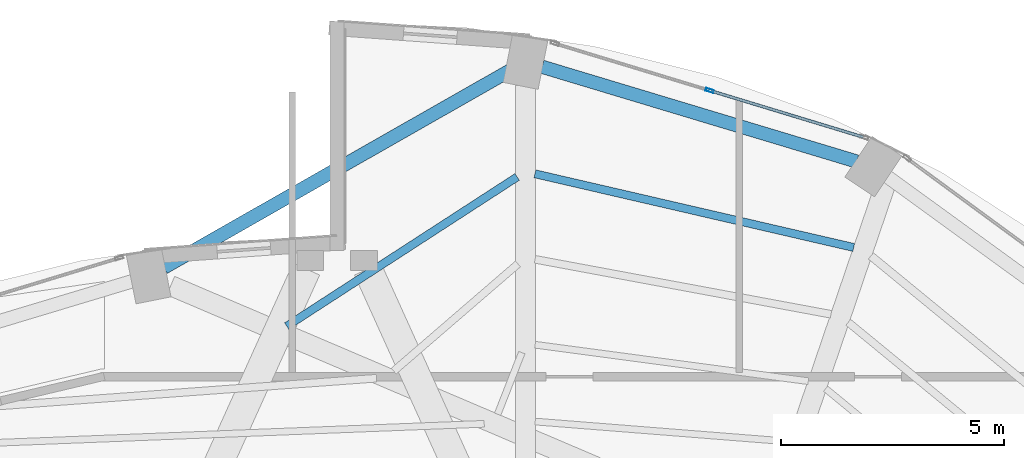
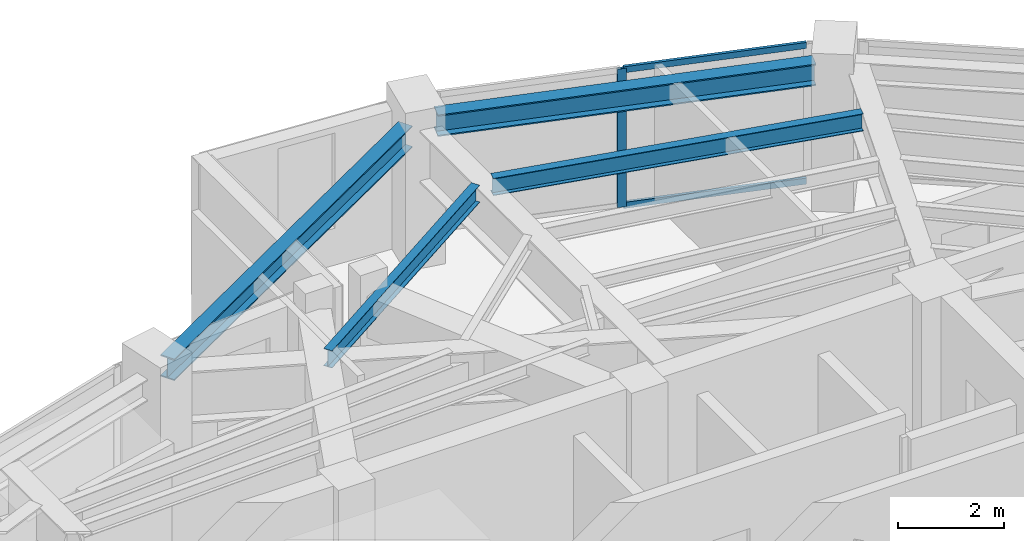
# One storey, part 17 of 23: 4 beams, 3 members, 1 element without a shape of its own.
"""IFC4 building model written with IfcOpenShell, lengths in metres."""

from ifc_helpers import new_model, si_unit, direction, frame, origin, origin_2d, place, context, subcontext, project, spatial, hollow_rectangle, i_section, extrude, material, layer, layer_set, material_profile, profile_set, type_object, element, aggregate, save


model = new_model("IFC4")

# Units and contexts
model_context = context("Model", 3, precision=1e-05, world=origin(), true_north=direction((0.0, 1.0)))
body_context = subcontext(model_context, "Body", "Model", "MODEL_VIEW")
ifc_project = project(units=[si_unit("LENGTHUNIT", "METRE"), si_unit("AREAUNIT", "SQUARE_METRE"), si_unit("VOLUMEUNIT", "CUBIC_METRE"), si_unit("PLANEANGLEUNIT", "RADIAN"), si_unit("MASSUNIT", "GRAM", prefix="KILO")], contexts=[model_context])

# Site, building, storey
site_placement = place(None, origin())
site = spatial("IfcSite", under=ifc_project, at=site_placement, CompositionType="ELEMENT")
building_placement = place(site_placement, origin())
building = spatial("IfcBuilding", under=site, at=building_placement, Name="Lazwardi Medical Tower", CompositionType="ELEMENT")
storey_placement = place(building_placement, frame((0.0, 0.0, 265.968017578125)))
storey = spatial("IfcBuildingStorey", under=building, at=storey_placement, Name="L69", CompositionType="ELEMENT", Elevation=265.968017578125)

# Beams
ifc_material_1 = material(Name="Steel S355", Category="steel")
ifc_material_profile_1 = material_profile(ifc_material_1, i_section(OverallWidth=0.300048828125, OverallDepth=0.5, WebThickness=0.014404296875, FlangeThickness=0.028076171875, at=origin_2d()), Name="HEB 500")
ifc_profile_set_1 = profile_set([ifc_material_profile_1], Name="Steel S355")
beam_type_1 = type_object("IfcBeamType", Name="BM-RB-Z4", PredefinedType="BEAM", material=ifc_profile_set_1)
beam_1_placement = place(storey_placement, frame((47.626953125, 43.56640625, 2.947998046875), z_axis=(-0.957544311906, 0.288286126506, 0.0), x_axis=(-0.288286126506, -0.957544311906, 0.0)))
element("IfcBeam", 1, at=beam_1_placement, inside=storey, type_object=beam_type_1, Name="Ring beam RB-05 B07 L69", PredefinedType="BEAM", context=body_context, shape_type="SweptSolid", body=[
    extrude(i_section(OverallWidth=0.300048828125, OverallDepth=0.5, WebThickness=0.014404296875, FlangeThickness=0.028076171875, at=origin_2d()), origin(), (0.0, 0.0, 1.0), 7.3515625),
])
beam_2_placement = place(storey_placement, frame((39.875, 45.605224609375, 2.947998046875), z_axis=(-0.868954808466, -0.494891443494, 0.0), x_axis=(0.494891443494, -0.868954808466, 0.0)))
element("IfcBeam", 2, at=beam_2_placement, inside=storey, type_object=beam_type_1, Name="Ring beam RB-05 B08 L69", PredefinedType="BEAM", context=body_context, shape_type="SweptSolid", body=[
    extrude(i_section(OverallWidth=0.300048828125, OverallDepth=0.5, WebThickness=0.014404296875, FlangeThickness=0.028076171875, at=origin_2d()), origin(), (0.0, 0.0, 1.0), 8.918701171875),
])
ifc_material_profile_2 = material_profile(ifc_material_1, i_section(OverallWidth=0.179931640625, OverallDepth=0.39990234375, WebThickness=0.008544921875, FlangeThickness=0.013427734375, at=origin_2d()), Name="IPE 400")
ifc_profile_set_2 = profile_set([ifc_material_profile_2], Name="Steel S355")
beam_type_2 = type_object("IfcBeamType", Name="BM-SJ-01", PredefinedType="JOIST", material=ifc_profile_set_2)
beam_3_placement = place(storey_placement, frame((47.560791015625, 41.642333984375, 2.998046875), z_axis=(-0.974310194081, 0.225210225591, 0.0), x_axis=(-0.225210225591, -0.974310194081, 0.0)))
element("IfcBeam", 3, at=beam_3_placement, inside=storey, type_object=beam_type_2, Name="Secondary joist SJ-01 R1 B07 L69", PredefinedType="JOIST", context=body_context, shape_type="SweptSolid", body=[
    extrude(i_section(OverallWidth=0.179931640625, OverallDepth=0.39990234375, WebThickness=0.008544921875, FlangeThickness=0.013427734375, at=origin_2d()), origin(), (0.0, 0.0, 1.0), 7.320556640625),
])
beam_4_placement = place(storey_placement, frame((40.029296875, 43.220947265625, 2.998046875), z_axis=(-0.8392191583, -0.543793347093, 0.0), x_axis=(0.543793347093, -0.8392191583, 0.0)))
element("IfcBeam", 4, at=beam_4_placement, inside=storey, type_object=beam_type_2, Name="Secondary joist SJ-01 R1 B08 L69", PredefinedType="JOIST", context=body_context, shape_type="SweptSolid", body=[
    extrude(i_section(OverallWidth=0.179931640625, OverallDepth=0.39990234375, WebThickness=0.008544921875, FlangeThickness=0.013427734375, at=origin_2d()), origin(), (0.0, 0.0, 1.0), 6.142578125),
])

# Curtain wall, members
ifc_material_2 = material(Name="Anodised bronze aluminium and solar control glazing", Category="aluminium")
ifc_layer = layer(ifc_material_2, 0.18994140625)
ifc_layer_set = layer_set([ifc_layer], Name="Anodised bronze aluminium and solar control glazing")
curtain_wall_type = type_object("IfcCurtainWallType", Name="CW-SYS-04", PredefinedType="NOTDEFINED", material=ifc_layer_set)
curtain_wall_placement = place(storey_placement, origin())
curtain_wall = element("IfcCurtainWall", 5, at=curtain_wall_placement, inside=storey, type_object=curtain_wall_type, Name="L69 Unitised bronze curtain wall CW-04", PredefinedType="NOTDEFINED")
ifc_material_3 = material(Name="Anodised bronze aluminium", Category="aluminium")
ifc_material_profile_3 = material_profile(ifc_material_3, hollow_rectangle(XDim=0.06494140625, YDim=0.179931640625, WallThickness=0.00390625, at=origin_2d()), Name="ALU-MULLION 180x65x4")
ifc_profile_set_3 = profile_set([ifc_material_profile_3], Name="Anodised bronze aluminium")
member_type_1 = type_object("IfcMemberType", Name="CW-MUL-03", PredefinedType="MULLION", material=ifc_profile_set_3)
member_1_placement = place(storey_placement, frame((44.33642578125, 45.1552734375, 0.0), z_axis=(0.0, 0.0, 1.0), x_axis=(-0.290581889515, -0.956850126972, 0.0)))
member_1 = element("IfcMember", 6, at=member_1_placement, type_object=member_type_1, Name="CW-04 mullion 2", PredefinedType="MULLION", context=body_context, shape_type="SweptSolid", body=[
    extrude(hollow_rectangle(XDim=0.06494140625, YDim=0.179931640625, WallThickness=0.00390625, at=origin_2d()), origin(), (0.0, 0.0, 1.0), 3.197998046875),
])
ifc_material_profile_4 = material_profile(ifc_material_3, hollow_rectangle(XDim=0.06494140625, YDim=0.139892578125, WallThickness=0.00341796875, at=origin_2d()), Name="ALU-TRANSOM 140x65x3.5")
ifc_profile_set_4 = profile_set([ifc_material_profile_4], Name="Anodised bronze aluminium")
member_type_2 = type_object("IfcMemberType", Name="CW-TRN-03", PredefinedType="USERDEFINED", material=ifc_profile_set_4)
member_2_placement = place(storey_placement, frame((47.7685546875, 44.113037109375, 0.032470703125), z_axis=(-0.956862505902, 0.290541124109, 0.0), x_axis=(-0.290541124109, -0.956862505902, 0.0)))
member_2 = element("IfcMember", 7, at=member_2_placement, type_object=member_type_2, Name="CW-04 transom 1.1", ObjectType="TRANSOM", PredefinedType="USERDEFINED", context=body_context, shape_type="SweptSolid", body=[
    extrude(hollow_rectangle(XDim=0.06494140625, YDim=0.139892578125, WallThickness=0.00341796875, at=origin_2d()), origin(), (0.0, 0.0, 1.0), 3.554443359375),
])
member_3_placement = place(storey_placement, frame((47.7685546875, 44.113037109375, 3.16552734375), z_axis=(-0.956862505902, 0.290541124109, 0.0), x_axis=(-0.290541124109, -0.956862505902, 0.0)))
member_3 = element("IfcMember", 8, at=member_3_placement, type_object=member_type_2, Name="CW-04 transom 1.2", ObjectType="TRANSOM", PredefinedType="USERDEFINED", context=body_context, shape_type="SweptSolid", body=[
    extrude(hollow_rectangle(XDim=0.06494140625, YDim=0.139892578125, WallThickness=0.00341796875, at=origin_2d()), origin(), (0.0, 0.0, 1.0), 3.554443359375),
])
aggregate(curtain_wall, [member_1, member_2, member_3])

save(model, "model.ifc")
